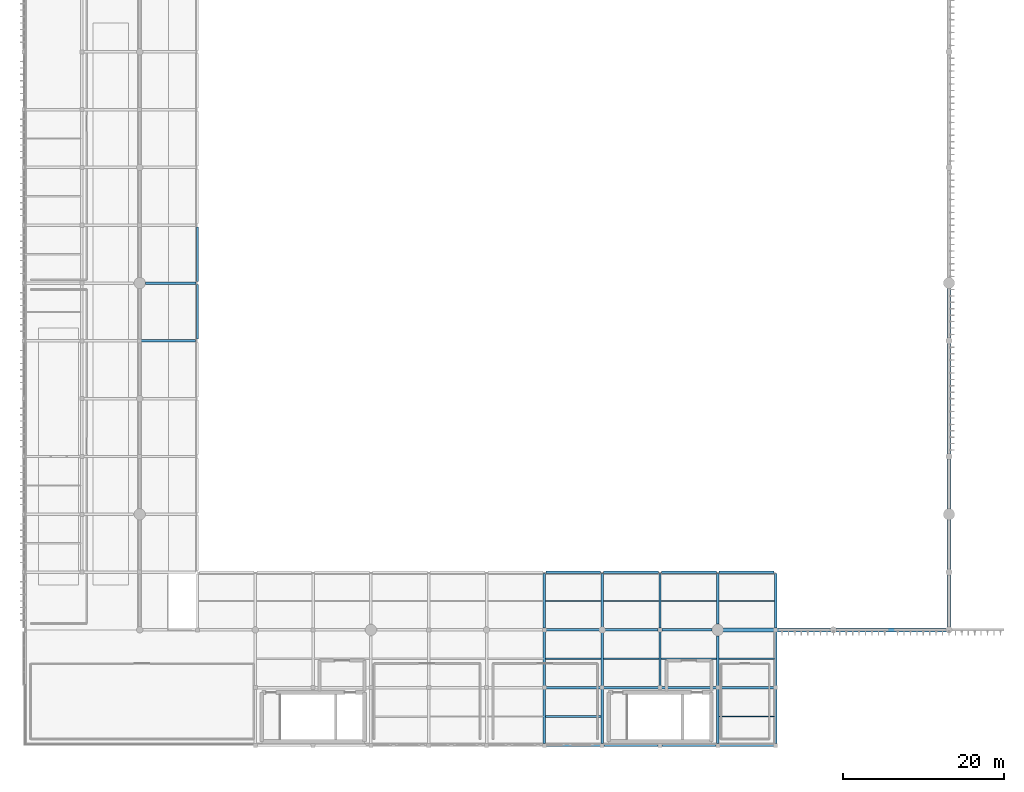
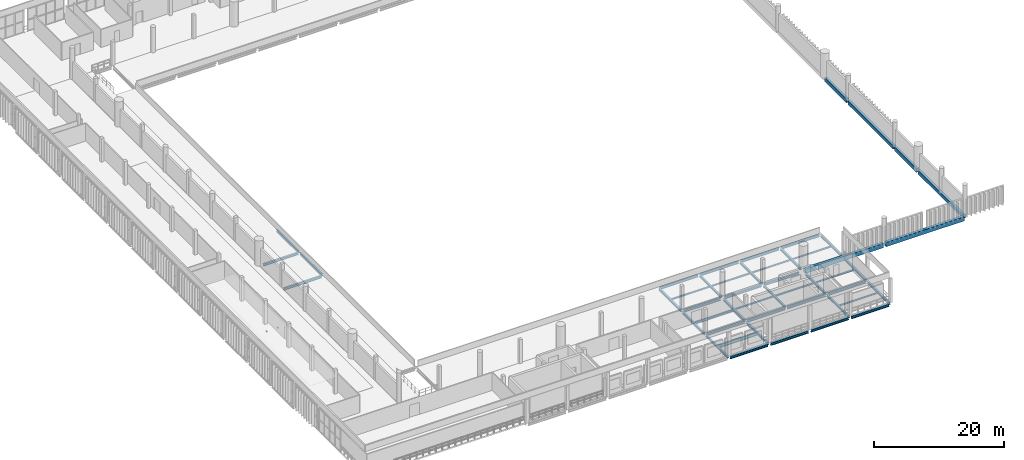
# One storey, part 16 of 64: 49 beams.
"""IFC4 building model written with IfcOpenShell, lengths in metres."""

from ifc_helpers import new_model, si_unit, direction, frame, origin, origin_2d, place, context, subcontext, project, spatial, rectangle, i_section, extrude, material, material_profile, profile_set, type_object, element, save


model = new_model("IFC4")

# Units and contexts
model_context = context("Model", 3, precision=1e-05, world=origin(), true_north=direction((0.0, 1.0)))
body_context = subcontext(model_context, "Body", "Model", "MODEL_VIEW")
ifc_project = project(units=[si_unit("LENGTHUNIT", "METRE"), si_unit("AREAUNIT", "SQUARE_METRE"), si_unit("VOLUMEUNIT", "CUBIC_METRE"), si_unit("PLANEANGLEUNIT", "RADIAN"), si_unit("MASSUNIT", "GRAM", prefix="KILO")], contexts=[model_context])

# Site, building, storey
site_placement = place(None, origin())
site = spatial("IfcSite", under=ifc_project, at=site_placement, CompositionType="ELEMENT")
building_placement = place(site_placement, origin())
building = spatial("IfcBuilding", under=site, at=building_placement, Name="Qandorah Velis Arena", CompositionType="ELEMENT")
storey_placement = place(building_placement, frame((0.0, 0.0, 23.0)))
storey = spatial("IfcBuildingStorey", under=building, at=storey_placement, Name="L05", CompositionType="ELEMENT", Elevation=23.0)

# Beams
ifc_material_1 = material(Name="Steel S355", Category="steel")
ifc_material_profile_1 = material_profile(ifc_material_1, i_section(OverallWidth=0.300048828125, OverallDepth=0.39990234375, WebThickness=0.013427734375, FlangeThickness=0.02392578125, FilletRadius=0.027099609375, at=origin_2d()), Name="HEB 400")
ifc_profile_set_1 = profile_set([ifc_material_profile_1], Name="Steel S355")
beam_type_1 = type_object("IfcBeamType", Name="STR-BM-HEB400", PredefinedType="BEAM", material=ifc_profile_set_1)
for number, where, z_axis, x_axis, name in (
    (1, (21.60009765625, 50.625, -0.449951171875), (0.0, 1.0, 0.0), (-1.0, 0.0, 0.0), "Primary floor girder L05 Y-143"),
    (2, (21.60009765625, 57.778564453125, -0.449951171875), (0.0, 1.0, 0.0), (-1.0, 0.0, 0.0), "Primary floor girder L05 Y-144"),
    (3, (64.800048828125, 0.22509765625, -0.449951171875), (0.0, 1.0, 0.0), (-1.0, 0.0, 0.0), "Primary floor girder L05 Y-180"),
):
    element("IfcBeam", number, at=place(storey_placement, frame(where, z_axis=z_axis, x_axis=x_axis)), inside=storey, type_object=beam_type_1, Name=name, PredefinedType="BEAM", context=body_context, shape_type="SweptSolid", body=[
        extrude(i_section(OverallWidth=0.300048828125, OverallDepth=0.39990234375, WebThickness=0.013427734375, FlangeThickness=0.02392578125, FilletRadius=0.027099609375, at=origin_2d()), origin(), (0.0, 0.0, 1.0), 6.79638671875),
    ])
beam_1_placement = place(storey_placement, frame((64.800048828125, 7.37841796875, -0.449951171875), z_axis=(0.0, 1.0, 0.0), x_axis=(-1.0, 0.0, 0.0)))
element("IfcBeam", 4, at=beam_1_placement, inside=storey, type_object=beam_type_1, Name="Primary floor girder L05 Y-181", PredefinedType="BEAM", context=body_context, shape_type="SweptSolid", body=[
    extrude(i_section(OverallWidth=0.300048828125, OverallDepth=0.39990234375, WebThickness=0.013427734375, FlangeThickness=0.02392578125, FilletRadius=0.027099609375, at=origin_2d()), origin(), (0.0, 0.0, 1.0), 6.796630859375),
])
for number, where, z_axis, x_axis, name in (
    (5, (64.800048828125, 14.625, -0.449951171875), (0.0, 1.0, 0.0), (-1.0, 0.0, 0.0), "Primary floor girder L05 Y-182"),
    (6, (72.0, 0.22509765625, -0.449951171875), (0.0, 1.0, 0.0), (-1.0, 0.0, 0.0), "Primary floor girder L05 Y-186"),
):
    element("IfcBeam", number, at=place(storey_placement, frame(where, z_axis=z_axis, x_axis=x_axis)), inside=storey, type_object=beam_type_1, Name=name, PredefinedType="BEAM", context=body_context, shape_type="SweptSolid", body=[
        extrude(i_section(OverallWidth=0.300048828125, OverallDepth=0.39990234375, WebThickness=0.013427734375, FlangeThickness=0.02392578125, FilletRadius=0.027099609375, at=origin_2d()), origin(), (0.0, 0.0, 1.0), 6.79638671875),
    ])
beam_2_placement = place(storey_placement, frame((72.0, 7.37841796875, -0.449951171875), z_axis=(0.0, 1.0, 0.0), x_axis=(-1.0, 0.0, 0.0)))
element("IfcBeam", 7, at=beam_2_placement, inside=storey, type_object=beam_type_1, Name="Primary floor girder L05 Y-187", PredefinedType="BEAM", context=body_context, shape_type="SweptSolid", body=[
    extrude(i_section(OverallWidth=0.300048828125, OverallDepth=0.39990234375, WebThickness=0.013427734375, FlangeThickness=0.02392578125, FilletRadius=0.027099609375, at=origin_2d()), origin(), (0.0, 0.0, 1.0), 6.671630859375),
])
beam_3_placement = place(storey_placement, frame((72.0, 14.75, -0.449951171875), z_axis=(0.0, 1.0, 0.0), x_axis=(-1.0, 0.0, 0.0)))
element("IfcBeam", 8, at=beam_3_placement, inside=storey, type_object=beam_type_1, Name="Primary floor girder L05 Y-188", PredefinedType="BEAM", context=body_context, shape_type="SweptSolid", body=[
    extrude(i_section(OverallWidth=0.300048828125, OverallDepth=0.39990234375, WebThickness=0.013427734375, FlangeThickness=0.02392578125, FilletRadius=0.027099609375, at=origin_2d()), origin(), (0.0, 0.0, 1.0), 6.67138671875),
])
beam_4_placement = place(storey_placement, frame((79.199951171875, 7.37841796875, -0.449951171875), z_axis=(0.0, 1.0, 0.0), x_axis=(-1.0, 0.0, 0.0)))
element("IfcBeam", 9, at=beam_4_placement, inside=storey, type_object=beam_type_1, Name="Primary floor girder L05 Y-192", PredefinedType="BEAM", context=body_context, shape_type="SweptSolid", body=[
    extrude(i_section(OverallWidth=0.300048828125, OverallDepth=0.39990234375, WebThickness=0.013427734375, FlangeThickness=0.02392578125, FilletRadius=0.027099609375, at=origin_2d()), origin(), (0.0, 0.0, 1.0), 6.796630859375),
])
for number, where, z_axis, x_axis, name in (
    (10, (79.199951171875, 14.625, -0.449951171875), (0.0, 1.0, 0.0), (-1.0, 0.0, 0.0), "Primary floor girder L05 Y-193"),
    (11, (86.39990234375, 0.22509765625, -0.449951171875), (0.0, 1.0, 0.0), (-1.0, 0.0, 0.0), "Primary floor girder L05 Y-196"),
):
    element("IfcBeam", number, at=place(storey_placement, frame(where, z_axis=z_axis, x_axis=x_axis)), inside=storey, type_object=beam_type_1, Name=name, PredefinedType="BEAM", context=body_context, shape_type="SweptSolid", body=[
        extrude(i_section(OverallWidth=0.300048828125, OverallDepth=0.39990234375, WebThickness=0.013427734375, FlangeThickness=0.02392578125, FilletRadius=0.027099609375, at=origin_2d()), origin(), (0.0, 0.0, 1.0), 6.79638671875),
    ])
for number, where, z_axis, x_axis, name in (
    (12, (86.39990234375, 7.37841796875, -0.449951171875), (0.0, 1.0, 0.0), (-1.0, 0.0, 0.0), "Primary floor girder L05 Y-197"),
    (13, (86.39990234375, 15.14990234375, -0.449951171875), (0.0, 1.0, 0.0), (-1.0, 0.0, 0.0), "Primary floor girder L05 Y-198"),
):
    element("IfcBeam", number, at=place(storey_placement, frame(where, z_axis=z_axis, x_axis=x_axis)), inside=storey, type_object=beam_type_1, Name=name, PredefinedType="BEAM", context=body_context, shape_type="SweptSolid", body=[
        extrude(i_section(OverallWidth=0.300048828125, OverallDepth=0.39990234375, WebThickness=0.013427734375, FlangeThickness=0.02392578125, FilletRadius=0.027099609375, at=origin_2d()), origin(), (0.0, 0.0, 1.0), 6.271484375),
    ])
beam_5_placement = place(storey_placement, frame((93.60009765625, 0.22509765625, -0.449951171875), z_axis=(0.0, 1.0, 0.0), x_axis=(-1.0, 0.0, 0.0)))
element("IfcBeam", 14, at=beam_5_placement, inside=storey, type_object=beam_type_1, Name="Primary floor girder L05 Y-202", PredefinedType="BEAM", context=body_context, shape_type="SweptSolid", body=[
    extrude(i_section(OverallWidth=0.300048828125, OverallDepth=0.39990234375, WebThickness=0.013427734375, FlangeThickness=0.02392578125, FilletRadius=0.027099609375, at=origin_2d()), origin(), (0.0, 0.0, 1.0), 6.79638671875),
])
beam_6_placement = place(storey_placement, frame((93.60009765625, 7.37841796875, -0.449951171875), z_axis=(0.0, 1.0, 0.0), x_axis=(-1.0, 0.0, 0.0)))
element("IfcBeam", 15, at=beam_6_placement, inside=storey, type_object=beam_type_1, Name="Primary floor girder L05 Y-203", PredefinedType="BEAM", context=body_context, shape_type="SweptSolid", body=[
    extrude(i_section(OverallWidth=0.300048828125, OverallDepth=0.39990234375, WebThickness=0.013427734375, FlangeThickness=0.02392578125, FilletRadius=0.027099609375, at=origin_2d()), origin(), (0.0, 0.0, 1.0), 6.796630859375),
])
beam_7_placement = place(storey_placement, frame((93.60009765625, 14.625, -0.449951171875), z_axis=(0.0, 1.0, 0.0), x_axis=(-1.0, 0.0, 0.0)))
element("IfcBeam", 16, at=beam_7_placement, inside=storey, type_object=beam_type_1, Name="Primary floor girder L05 Y-204", PredefinedType="BEAM", context=body_context, shape_type="SweptSolid", body=[
    extrude(i_section(OverallWidth=0.300048828125, OverallDepth=0.39990234375, WebThickness=0.013427734375, FlangeThickness=0.02392578125, FilletRadius=0.027099609375, at=origin_2d()), origin(), (0.0, 0.0, 1.0), 6.79638671875),
])
ifc_material_profile_2 = material_profile(ifc_material_1, i_section(OverallWidth=0.300048828125, OverallDepth=0.449951171875, WebThickness=0.013916015625, FlangeThickness=0.02587890625, FilletRadius=0.027099609375, at=origin_2d()), Name="HEB 450")
ifc_profile_set_2 = profile_set([ifc_material_profile_2], Name="Steel S355")
beam_type_2 = type_object("IfcBeamType", Name="STR-BM-HEB450", PredefinedType="BEAM", material=ifc_profile_set_2)
for number, where, z_axis, x_axis, name in (
    (17, (65.02490234375, 0.0, -0.47509765625), (1.0, 0.0, 0.0), (0.0, 1.0, 0.0), "Primary floor girder L05 X-006"),
    (18, (72.22509765625, 0.0, -0.47509765625), (1.0, 0.0, 0.0), (0.0, 1.0, 0.0), "Primary floor girder L05 X-007"),
    (19, (79.425048828125, 0.0, -0.47509765625), (1.0, 0.0, 0.0), (0.0, 1.0, 0.0), "Primary floor girder L05 X-008"),
    (20, (86.625, 0.0, -0.47509765625), (1.0, 0.0, 0.0), (0.0, 1.0, 0.0), "Primary floor girder L05 X-009"),
):
    element("IfcBeam", number, at=place(storey_placement, frame(where, z_axis=z_axis, x_axis=x_axis)), inside=storey, type_object=beam_type_2, Name=name, PredefinedType="BEAM", context=body_context, shape_type="SweptSolid", body=[
        extrude(i_section(OverallWidth=0.300048828125, OverallDepth=0.449951171875, WebThickness=0.013916015625, FlangeThickness=0.02587890625, FilletRadius=0.027099609375, at=origin_2d()), origin(), (0.0, 0.0, 1.0), 6.75),
    ])
for number, where, z_axis, x_axis, name in (
    (21, (64.978515625, 7.199951171875, -0.47509765625), (1.0, 0.0, 0.0), (0.0, 1.0, 0.0), "Primary floor girder L05 X-015"),
    (22, (72.178466796875, 7.199951171875, -0.47509765625), (1.0, 0.0, 0.0), (0.0, 1.0, 0.0), "Primary floor girder L05 X-016"),
    (23, (79.37841796875, 7.199951171875, -0.47509765625), (1.0, 0.0, 0.0), (0.0, 1.0, 0.0), "Primary floor girder L05 X-017"),
):
    element("IfcBeam", number, at=place(storey_placement, frame(where, z_axis=z_axis, x_axis=x_axis)), inside=storey, type_object=beam_type_2, Name=name, PredefinedType="BEAM", context=body_context, shape_type="SweptSolid", body=[
        extrude(i_section(OverallWidth=0.300048828125, OverallDepth=0.449951171875, WebThickness=0.013916015625, FlangeThickness=0.02587890625, FilletRadius=0.027099609375, at=origin_2d()), origin(), (0.0, 0.0, 1.0), 6.843017578125),
    ])
beam_8_placement = place(storey_placement, frame((86.57861328125, 7.199951171875, -0.47509765625), z_axis=(1.0, 0.0, 0.0), x_axis=(0.0, 1.0, 0.0)))
element("IfcBeam", 24, at=beam_8_placement, inside=storey, type_object=beam_type_2, Name="Primary floor girder L05 X-018", PredefinedType="BEAM", context=body_context, shape_type="SweptSolid", body=[
    extrude(i_section(OverallWidth=0.300048828125, OverallDepth=0.449951171875, WebThickness=0.013916015625, FlangeThickness=0.02587890625, FilletRadius=0.027099609375, at=origin_2d()), origin(), (0.0, 0.0, 1.0), 6.8427734375),
])
for number, where, z_axis, x_axis, name in (
    (25, (65.02490234375, 14.39990234375, -0.47509765625), (1.0, 0.0, 0.0), (0.0, 1.0, 0.0), "Primary floor girder L05 X-026"),
    (26, (72.35009765625, 14.39990234375, -0.47509765625), (1.0, 0.0, 0.0), (0.0, 1.0, 0.0), "Primary floor girder L05 X-027"),
):
    element("IfcBeam", number, at=place(storey_placement, frame(where, z_axis=z_axis, x_axis=x_axis)), inside=storey, type_object=beam_type_2, Name=name, PredefinedType="BEAM", context=body_context, shape_type="SweptSolid", body=[
        extrude(i_section(OverallWidth=0.300048828125, OverallDepth=0.449951171875, WebThickness=0.013916015625, FlangeThickness=0.02587890625, FilletRadius=0.027099609375, at=origin_2d()), origin(), (0.0, 0.0, 1.0), 6.625),
    ])
beam_9_placement = place(storey_placement, frame((79.425048828125, 14.39990234375, -0.47509765625), z_axis=(1.0, 0.0, 0.0), x_axis=(0.0, 1.0, 0.0)))
element("IfcBeam", 27, at=beam_9_placement, inside=storey, type_object=beam_type_2, Name="Primary floor girder L05 X-028", PredefinedType="BEAM", context=body_context, shape_type="SweptSolid", body=[
    extrude(i_section(OverallWidth=0.300048828125, OverallDepth=0.449951171875, WebThickness=0.013916015625, FlangeThickness=0.02587890625, FilletRadius=0.027099609375, at=origin_2d()), origin(), (0.0, 0.0, 1.0), 6.224853515625),
])
for number, where, z_axis, x_axis, name in (
    (28, (64.978515625, 21.60009765625, -0.47509765625), (1.0, 0.0, 0.0), (0.0, 1.0, 0.0), "Primary floor girder L05 X-038"),
    (29, (72.178466796875, 21.60009765625, -0.47509765625), (1.0, 0.0, 0.0), (0.0, 1.0, 0.0), "Primary floor girder L05 X-039"),
    (30, (79.37841796875, 21.60009765625, -0.47509765625), (1.0, 0.0, 0.0), (0.0, 1.0, 0.0), "Primary floor girder L05 X-040"),
):
    element("IfcBeam", number, at=place(storey_placement, frame(where, z_axis=z_axis, x_axis=x_axis)), inside=storey, type_object=beam_type_2, Name=name, PredefinedType="BEAM", context=body_context, shape_type="SweptSolid", body=[
        extrude(i_section(OverallWidth=0.300048828125, OverallDepth=0.449951171875, WebThickness=0.013916015625, FlangeThickness=0.02587890625, FilletRadius=0.027099609375, at=origin_2d()), origin(), (0.0, 0.0, 1.0), 6.843017578125),
    ])
beam_10_placement = place(storey_placement, frame((86.57861328125, 21.60009765625, -0.47509765625), z_axis=(1.0, 0.0, 0.0), x_axis=(0.0, 1.0, 0.0)))
element("IfcBeam", 31, at=beam_10_placement, inside=storey, type_object=beam_type_2, Name="Primary floor girder L05 X-041", PredefinedType="BEAM", context=body_context, shape_type="SweptSolid", body=[
    extrude(i_section(OverallWidth=0.300048828125, OverallDepth=0.449951171875, WebThickness=0.013916015625, FlangeThickness=0.02587890625, FilletRadius=0.027099609375, at=origin_2d()), origin(), (0.0, 0.0, 1.0), 6.8427734375),
])
beam_11_placement = place(storey_placement, frame((14.57861328125, 50.39990234375, -0.47509765625), z_axis=(1.0, 0.0, 0.0), x_axis=(0.0, 1.0, 0.0)))
element("IfcBeam", 32, at=beam_11_placement, inside=storey, type_object=beam_type_2, Name="Primary floor girder L05 X-052", PredefinedType="BEAM", context=body_context, shape_type="SweptSolid", body=[
    extrude(i_section(OverallWidth=0.300048828125, OverallDepth=0.449951171875, WebThickness=0.013916015625, FlangeThickness=0.02587890625, FilletRadius=0.027099609375, at=origin_2d()), origin(), (0.0, 0.0, 1.0), 6.79638671875),
])
beam_12_placement = place(storey_placement, frame((15.14990234375, 57.60009765625, -0.47509765625), z_axis=(1.0, 0.0, 0.0), x_axis=(0.0, 1.0, 0.0)))
element("IfcBeam", 33, at=beam_12_placement, inside=storey, type_object=beam_type_2, Name="Primary floor girder L05 X-055", PredefinedType="BEAM", context=body_context, shape_type="SweptSolid", body=[
    extrude(i_section(OverallWidth=0.300048828125, OverallDepth=0.449951171875, WebThickness=0.013916015625, FlangeThickness=0.02587890625, FilletRadius=0.027099609375, at=origin_2d()), origin(), (0.0, 0.0, 1.0), 6.271484375),
])
ifc_material_profile_3 = material_profile(ifc_material_1, i_section(OverallWidth=0.14990234375, OverallDepth=0.300048828125, WebThickness=0.007080078125, FlangeThickness=0.0107421875, FilletRadius=0.014892578125, at=origin_2d()), Name="IPE 300")
ifc_profile_set_3 = profile_set([ifc_material_profile_3], Name="Steel S355")
beam_type_3 = type_object("IfcBeamType", Name="STR-JST-IPE300", PredefinedType="JOIST", material=ifc_profile_set_3)
for number, where, z_axis, x_axis, name in (
    (34, (64.93505859375, 18.0, -0.39990234375), (1.0, 0.0, 0.0), (0.0, 1.0, 0.0), "Secondary floor joist L05-039"),
    (35, (72.135009765625, 10.800048828125, -0.39990234375), (1.0, 0.0, 0.0), (0.0, 1.0, 0.0), "Secondary floor joist L05-043"),
    (36, (72.135009765625, 18.0, -0.39990234375), (1.0, 0.0, 0.0), (0.0, 1.0, 0.0), "Secondary floor joist L05-044"),
    (37, (79.3349609375, 10.800048828125, -0.39990234375), (1.0, 0.0, 0.0), (0.0, 1.0, 0.0), "Secondary floor joist L05-047"),
    (38, (79.3349609375, 18.0, -0.39990234375), (1.0, 0.0, 0.0), (0.0, 1.0, 0.0), "Secondary floor joist L05-048"),
):
    element("IfcBeam", number, at=place(storey_placement, frame(where, z_axis=z_axis, x_axis=x_axis)), inside=storey, type_object=beam_type_3, Name=name, PredefinedType="JOIST", context=body_context, shape_type="SweptSolid", body=[
        extrude(i_section(OverallWidth=0.14990234375, OverallDepth=0.300048828125, WebThickness=0.007080078125, FlangeThickness=0.0107421875, FilletRadius=0.014892578125, at=origin_2d()), origin(), (0.0, 0.0, 1.0), 6.929931640625),
    ])
for number, where, z_axis, x_axis, name in (
    (39, (86.534912109375, 3.60009765625, -0.39990234375), (1.0, 0.0, 0.0), (0.0, 1.0, 0.0), "Secondary floor joist L05-051"),
    (40, (86.534912109375, 10.800048828125, -0.39990234375), (1.0, 0.0, 0.0), (0.0, 1.0, 0.0), "Secondary floor joist L05-052"),
    (41, (86.534912109375, 18.0, -0.39990234375), (1.0, 0.0, 0.0), (0.0, 1.0, 0.0), "Secondary floor joist L05-053"),
):
    element("IfcBeam", number, at=place(storey_placement, frame(where, z_axis=z_axis, x_axis=x_axis)), inside=storey, type_object=beam_type_3, Name=name, PredefinedType="JOIST", context=body_context, shape_type="SweptSolid", body=[
        extrude(i_section(OverallWidth=0.14990234375, OverallDepth=0.300048828125, WebThickness=0.007080078125, FlangeThickness=0.0107421875, FilletRadius=0.014892578125, at=origin_2d()), origin(), (0.0, 0.0, 1.0), 6.93017578125),
    ])
ifc_material_profile_4 = material_profile(ifc_material_1, i_section(OverallWidth=0.199951171875, OverallDepth=0.5, WebThickness=0.01025390625, FlangeThickness=0.01611328125, FilletRadius=0.02099609375, at=origin_2d()), Name="IPE 500")
ifc_profile_set_4 = profile_set([ifc_material_profile_4], Name="Steel S355")
beam_type_4 = type_object("IfcBeamType", Name="STR-JST-IPE500", PredefinedType="JOIST", material=ifc_profile_set_4)
beam_13_placement = place(storey_placement, frame((64.93505859375, 10.800048828125, -0.5), z_axis=(1.0, 0.0, 0.0), x_axis=(0.0, 1.0, 0.0)))
element("IfcBeam", 42, at=beam_13_placement, inside=storey, type_object=beam_type_4, Name="Secondary floor joist L05-038", PredefinedType="JOIST", context=body_context, shape_type="SweptSolid", body=[
    extrude(i_section(OverallWidth=0.199951171875, OverallDepth=0.5, WebThickness=0.01025390625, FlangeThickness=0.01611328125, FilletRadius=0.02099609375, at=origin_2d()), origin(), (0.0, 0.0, 1.0), 6.929931640625),
])
ifc_material_profile_5 = material_profile(ifc_material_1, i_section(OverallWidth=0.219970703125, OverallDepth=0.60009765625, WebThickness=0.011962890625, FlangeThickness=0.01904296875, FilletRadius=0.02392578125, at=origin_2d()), Name="IPE 600")
ifc_profile_set_5 = profile_set([ifc_material_profile_5], Name="Steel S355")
beam_type_5 = type_object("IfcBeamType", Name="STR-JST-IPE600", PredefinedType="JOIST", material=ifc_profile_set_5)
beam_14_placement = place(storey_placement, frame((64.93505859375, 3.60009765625, -0.550048828125), z_axis=(1.0, 0.0, 0.0), x_axis=(0.0, 1.0, 0.0)))
element("IfcBeam", 43, at=beam_14_placement, inside=storey, type_object=beam_type_5, Name="Secondary floor joist L05-037", PredefinedType="JOIST", context=body_context, shape_type="SweptSolid", body=[
    extrude(i_section(OverallWidth=0.219970703125, OverallDepth=0.60009765625, WebThickness=0.011962890625, FlangeThickness=0.01904296875, FilletRadius=0.02392578125, at=origin_2d()), origin(), (0.0, 0.0, 1.0), 6.929931640625),
])
ifc_material_2 = material(Name="Concrete C40/50", Category="concrete")
ifc_material_profile_6 = material_profile(ifc_material_2, rectangle(XDim=0.449951171875, YDim=0.699951171875, at=origin_2d()), Name="RC BM 450x700")
ifc_profile_set_6 = profile_set([ifc_material_profile_6], Name="Concrete C40/50")
beam_type_6 = type_object("IfcBeamType", Name="STR-RCBM-450X700", PredefinedType="BEAM", material=ifc_profile_set_6)
beam_15_placement = place(storey_placement, frame((115.199951171875, 14.6201171875, -0.35009765625), z_axis=(0.0, 1.0, 0.0), x_axis=(-1.0, 0.0, 0.0)))
element("IfcBeam", 44, at=beam_15_placement, inside=storey, type_object=beam_type_6, Name="Drum east ring beam L05-1", PredefinedType="BEAM", context=body_context, shape_type="SweptSolid", body=[
    extrude(rectangle(XDim=0.449951171875, YDim=0.699951171875, at=origin_2d()), origin(), (0.0, 0.0, 1.0), 13.9599609375),
])
beam_16_placement = place(storey_placement, frame((115.199951171875, 29.02001953125, -0.35009765625), z_axis=(0.0, 1.0, 0.0), x_axis=(-1.0, 0.0, 0.0)))
element("IfcBeam", 45, at=beam_16_placement, inside=storey, type_object=beam_type_6, Name="Drum east ring beam L05-2", PredefinedType="BEAM", context=body_context, shape_type="SweptSolid", body=[
    extrude(rectangle(XDim=0.449951171875, YDim=0.699951171875, at=origin_2d()), origin(), (0.0, 0.0, 1.0), 6.760009765625),
])
beam_17_placement = place(storey_placement, frame((115.199951171875, 36.219970703125, -0.35009765625), z_axis=(0.0, 1.0, 0.0), x_axis=(-1.0, 0.0, 0.0)))
element("IfcBeam", 46, at=beam_17_placement, inside=storey, type_object=beam_type_6, Name="Drum east ring beam L05-3", PredefinedType="BEAM", context=body_context, shape_type="SweptSolid", body=[
    extrude(rectangle(XDim=0.449951171875, YDim=0.699951171875, at=origin_2d()), origin(), (0.0, 0.0, 1.0), 13.9599609375),
])
beam_18_placement = place(storey_placement, frame((115.199951171875, 50.6201171875, -0.35009765625), z_axis=(0.0, 1.0, 0.0), x_axis=(-1.0, 0.0, 0.0)))
element("IfcBeam", 47, at=beam_18_placement, inside=storey, type_object=beam_type_6, Name="Drum east ring beam L05-4", PredefinedType="BEAM", context=body_context, shape_type="SweptSolid", body=[
    extrude(rectangle(XDim=0.449951171875, YDim=0.699951171875, at=origin_2d()), origin(), (0.0, 0.0, 1.0), 6.759765625),
])
ifc_material_profile_7 = material_profile(ifc_material_2, rectangle(XDim=0.5, YDim=0.800048828125, at=origin_2d()), Name="RC BM 500x800")
ifc_profile_set_7 = profile_set([ifc_material_profile_7], Name="Concrete C40/50")
beam_type_7 = type_object("IfcBeamType", Name="STR-RCBM-500X800", PredefinedType="BEAM", material=ifc_profile_set_7)
for number, where, z_axis, x_axis, name in (
    (48, (86.6201171875, 14.39990234375, -0.39990234375), (1.0, 0.0, 0.0), (0.0, 1.0, 0.0), "Drum south ring beam L05-6"),
    (49, (101.02001953125, 14.39990234375, -0.39990234375), (1.0, 0.0, 0.0), (0.0, 1.0, 0.0), "Drum south ring beam L05-7"),
):
    element("IfcBeam", number, at=place(storey_placement, frame(where, z_axis=z_axis, x_axis=x_axis)), inside=storey, type_object=beam_type_7, Name=name, PredefinedType="BEAM", context=body_context, shape_type="SweptSolid", body=[
        extrude(rectangle(XDim=0.5, YDim=0.800048828125, at=origin_2d()), origin(), (0.0, 0.0, 1.0), 13.9599609375),
    ])

save(model, "model.ifc")
